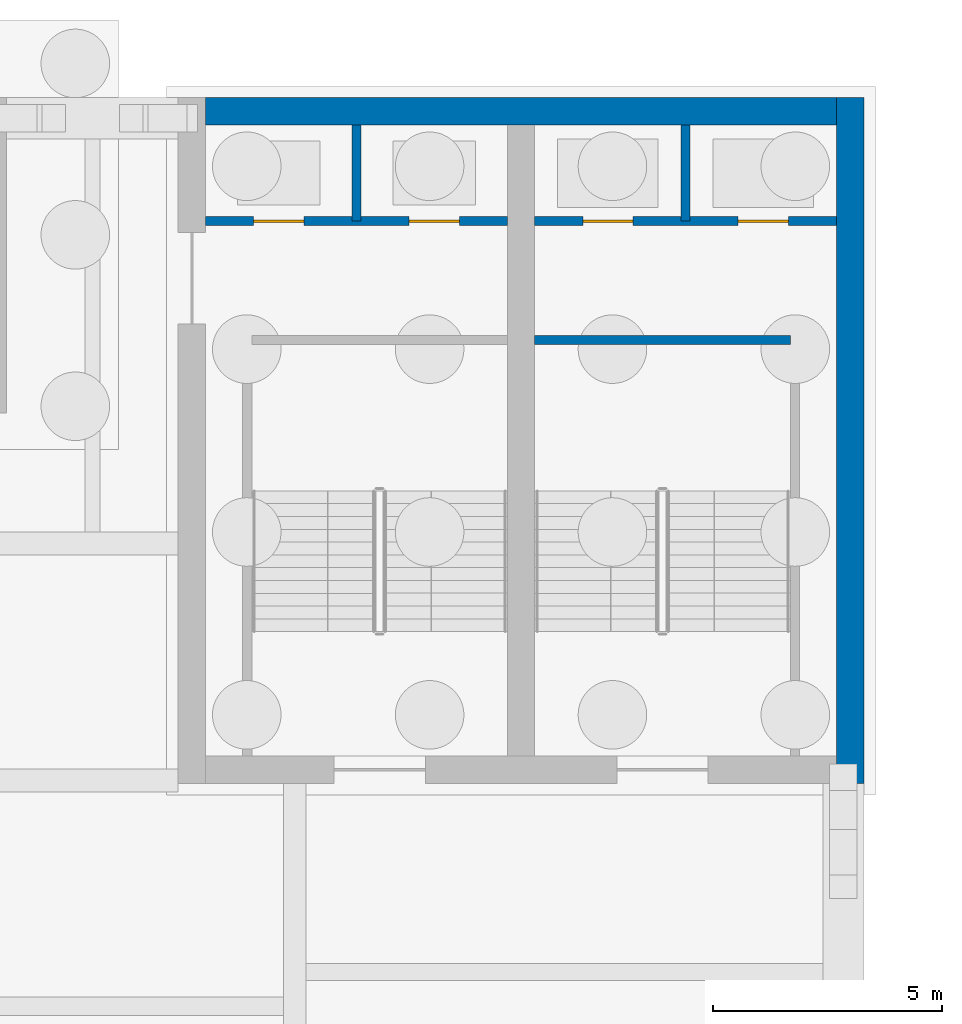
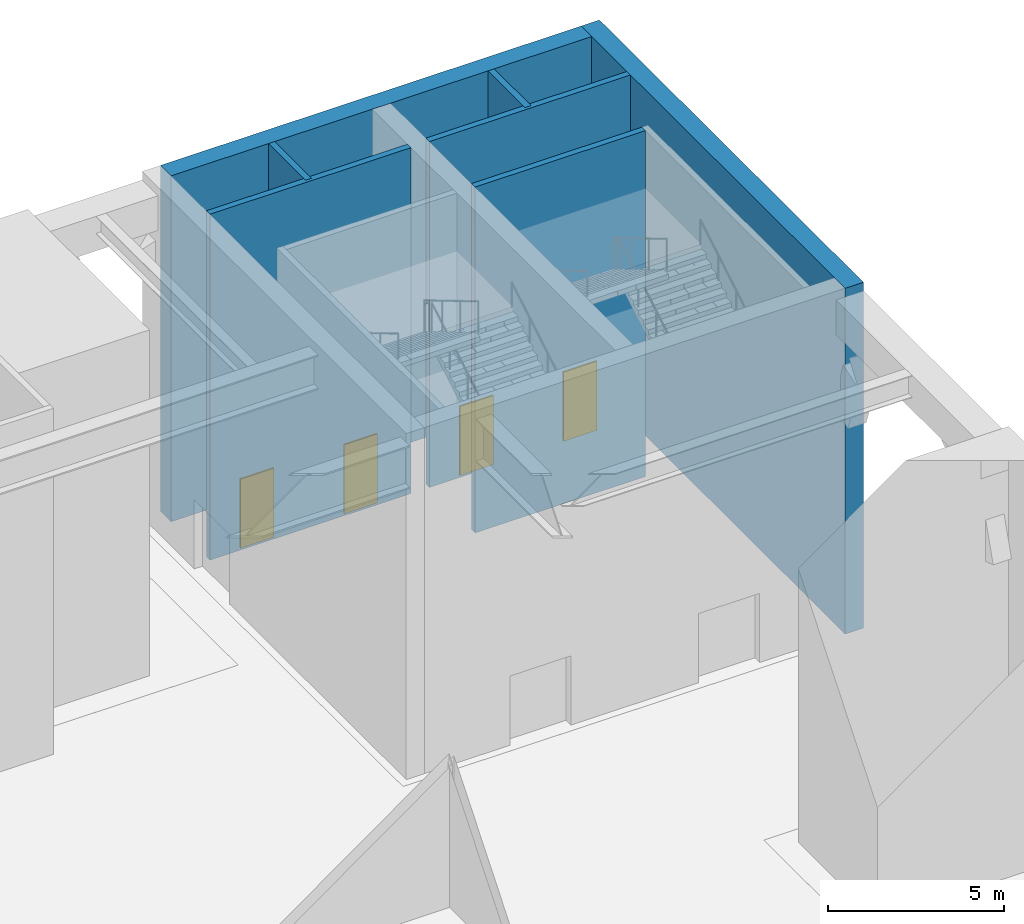
# One storey, part 11 of 34: 7 walls, 4 doors, 4 openings.
"""IFC4 building model written with IfcOpenShell, lengths in metres."""

import ifcopenshell
import ifcopenshell.guid

model = None  # the IFC model being written
_history = None  # IfcOwnerHistory: only IFC2X3 demands one
_inside = {}  # id of a spatial element -> (the spatial element, [elements in it])
_under = {}  # id of a project, library or spatial element -> (it, [spatial elements below it])
_declared = {}  # id of a project -> (the project, [libraries it declares])
_typed = {}  # id of a type object -> (the type object, [elements of that type])
_made_of = {}  # id of a material, layer set ... -> (it, [elements and type objects made of it])


def new_model(schema):
    """Start an empty IFC model of exactly this schema.

    Asked for "IFC4X3", IfcOpenShell would pick the latest addendum, in which some entities
    have other attributes; the version numbers below select the first issue.
    IFC2X3 requires an IfcOwnerHistory on every rooted entity: one is made here for all.
    """
    global model, _history
    if schema == "IFC4X3":
        model = ifcopenshell.file(schema_version=(4, 3, 0, 0))
    else:
        model = ifcopenshell.file(schema=schema)
    _inside.clear()
    _under.clear()
    _declared.clear()
    _typed.clear()
    _made_of.clear()
    _history = None
    if model.schema == "IFC2X3":
        org = make("IfcOrganization", Name="unknown")
        user = make(
            "IfcPersonAndOrganization",
            ThePerson=make("IfcPerson", FamilyName="unknown"),
            TheOrganization=org,
        )
        app = make(
            "IfcApplication",
            ApplicationDeveloper=org,
            Version="unknown",
            ApplicationFullName="unknown",
            ApplicationIdentifier="unknown",
        )
        _history = make(
            "IfcOwnerHistory",
            OwningUser=user,
            OwningApplication=app,
            ChangeAction="ADDED",
            CreationDate=0,
        )
    return model


def make(cls, **values):
    """One entity of the class cls with the attributes given. An attribute that is None is left unset."""
    return model.create_entity(
        cls, **{name: value for name, value in values.items() if value is not None}
    )


def rooted(cls, **values):
    """An entity with a GlobalId (a new one), such as an element, a storey or a relation."""
    return make(cls, GlobalId=ifcopenshell.guid.new(), OwnerHistory=_history, **values)


def si_unit(unit_type, name, prefix=None):
    """IfcSIUnit, for example si_unit("LENGTHUNIT", "METRE", prefix="MILLI")."""
    return make("IfcSIUnit", UnitType=unit_type, Prefix=prefix, Name=name)


def assignment(units):
    """IfcUnitAssignment: the units of a project."""
    return None if units is None else make("IfcUnitAssignment", Units=units)


def point(xyz):
    """IfcCartesianPoint."""
    return None if xyz is None else make("IfcCartesianPoint", Coordinates=xyz)


def direction(xyz):
    """IfcDirection."""
    return None if xyz is None else make("IfcDirection", DirectionRatios=xyz)


def frame(location, z_axis=None, x_axis=None):
    """IfcAxis2Placement3D, a coordinate frame: its origin and axes. An axis left out is left unset."""
    return make(
        "IfcAxis2Placement3D",
        Location=point(location),
        Axis=direction(z_axis),
        RefDirection=direction(x_axis),
    )


def frame_2d(location, x_axis=None):
    """IfcAxis2Placement2D, a coordinate frame in the plane: its origin and x axis."""
    return make(
        "IfcAxis2Placement2D", Location=point(location), RefDirection=direction(x_axis)
    )


def origin():
    """The frame at (0, 0, 0) with its axes left unset."""
    return frame((0.0, 0.0, 0.0))


def place(relative_to, where):
    """IfcLocalPlacement: puts the frame where relative to a parent placement (None: the world)."""
    return make(
        "IfcLocalPlacement", PlacementRelTo=relative_to, RelativePlacement=where
    )


def context(
    kind, dimensions, precision=None, world=None, true_north=None, identifier=None
):
    """IfcGeometricRepresentationContext, for example the 3D "Model" context."""
    return make(
        "IfcGeometricRepresentationContext",
        ContextIdentifier=identifier,
        ContextType=kind,
        CoordinateSpaceDimension=dimensions,
        Precision=precision,
        WorldCoordinateSystem=world,
        TrueNorth=true_north,
    )


def subcontext(parent, identifier, kind, view, scale=None):
    """IfcGeometricRepresentationSubContext, for example "Body" below "Model"."""
    return make(
        "IfcGeometricRepresentationSubContext",
        ContextIdentifier=identifier,
        ContextType=kind,
        ParentContext=parent,
        TargetScale=scale,
        TargetView=view,
    )


def project(units=None, contexts=None):
    """IfcProject with its units and contexts."""
    return rooted(
        "IfcProject",
        Name="project",
        RepresentationContexts=contexts,
        UnitsInContext=assignment(units),
    )


def spatial(cls, under=None, at=None, **own):
    """A site, building, storey or space (cls), placed at a placement, below another one or the project."""
    s = rooted(cls, ObjectPlacement=at, **own)
    if under is not None:
        _under.setdefault(under.id(), (under, []))[1].append(s)
    return s


def profile(cls, at=None, kind="AREA", **sizes):
    """A parametric profile (cls). Its sizes go by their IFC names, for example OverallWidth=200.0."""
    return make(cls, ProfileType=kind, Position=at, **sizes)


def rectangle(**sizes):
    """IfcRectangleProfileDef."""
    return profile("IfcRectangleProfileDef", **sizes)


def extrude(swept, where, along, depth):
    """IfcExtrudedAreaSolid: the profile swept, set in the frame where, extruded along a direction by depth."""
    return make(
        "IfcExtrudedAreaSolid",
        SweptArea=swept,
        Position=where,
        ExtrudedDirection=direction(along),
        Depth=depth,
    )


def shape(context_of_items, identifier, shape_type, items):
    """IfcShapeRepresentation: the items that make up one representation, for example the "Body"."""
    return make(
        "IfcShapeRepresentation",
        ContextOfItems=context_of_items,
        RepresentationIdentifier=identifier,
        RepresentationType=shape_type,
        Items=items,
    )


def material(Name=None, Category=None):
    """IfcMaterial."""
    return make("IfcMaterial", Name=Name, Category=Category)


def layer(
    of_material, thickness, ventilated=None, Name=None, Category=None, Priority=None
):
    """IfcMaterialLayer: one layer of a wall or slab, of a material (None: an air gap)."""
    return make(
        "IfcMaterialLayer",
        Material=of_material,
        LayerThickness=thickness,
        IsVentilated=ventilated,
        Name=Name,
        Category=Category,
        Priority=Priority,
    )


def layer_set(layers, Name=None):
    """IfcMaterialLayerSet."""
    return make("IfcMaterialLayerSet", MaterialLayers=layers, LayerSetName=Name)


def made_of(thing, what):
    """Note that an element or type object is made of a material, layer set ...; save() writes the relation."""
    if what is not None:
        _made_of.setdefault(what.id(), (what, []))[1].append(thing)
    return thing


def type_object(cls, material=None, **own):
    """A type object (cls), such as IfcWallType, which elements share."""
    return made_of(rooted(cls, **own), material)


def element(
    cls,
    number,
    at=None,
    inside=None,
    cuts=None,
    type_object=None,
    material=None,
    context=None,
    identifier="Body",
    shape_type=None,
    held_by="IfcProductDefinitionShape",
    body=None,
    shapes=None,
    **own,
):
    """One element of the class cls, such as IfcWall. Its Tag is "e" and its number.

    at: its placement. inside: the storey or other place that contains it. cuts: it is an
    opening in that element (IfcRelVoidsElement). A single representation is given by context,
    identifier, shape_type and body (its items); several are given by shapes. held_by: the class
    of the entity that holds the representations. save() writes the other relations.
    """
    e = rooted(cls, Tag="e%d" % number, ObjectPlacement=at, **own)
    if body is not None:
        shapes = [shape(context, identifier, shape_type, body)]
    if shapes is not None:
        e.Representation = make(held_by, Representations=shapes)
    if inside is not None:
        _inside.setdefault(inside.id(), (inside, []))[1].append(e)
    if cuts is not None:
        rooted(
            "IfcRelVoidsElement", RelatingBuildingElement=cuts, RelatedOpeningElement=e
        )
    if type_object is not None:
        _typed.setdefault(type_object.id(), (type_object, []))[1].append(e)
    return made_of(e, material)


def fill(opening, filler):
    """IfcRelFillsElement: the door or window that sits in an opening."""
    return rooted(
        "IfcRelFillsElement",
        RelatingOpeningElement=opening,
        RelatedBuildingElement=filler,
    )


def aggregate(whole, parts):
    """IfcRelAggregates: a whole, such as a stair, and the parts it consists of."""
    return rooted("IfcRelAggregates", RelatingObject=whole, RelatedObjects=parts)


def save(model, path):
    """Write the relations noted so far, then the file.

    IfcRelAggregates (storeys below a building ...), IfcRelContainedInSpatialStructure (elements
    in a storey), IfcRelDefinesByType, IfcRelAssociatesMaterial and IfcRelDeclares: one each for
    every whole, place, type object, material and project.
    """
    for whole, parts in _under.values():
        aggregate(whole, parts)
    for where, things in _inside.values():
        rooted(
            "IfcRelContainedInSpatialStructure",
            RelatedElements=things,
            RelatingStructure=where,
        )
    for kind, things in _typed.values():
        rooted("IfcRelDefinesByType", RelatedObjects=things, RelatingType=kind)
    for what, things in _made_of.values():
        rooted("IfcRelAssociatesMaterial", RelatedObjects=things, RelatingMaterial=what)
    for by, libraries in _declared.values():
        rooted("IfcRelDeclares", RelatingContext=by, RelatedDefinitions=libraries)
    model.write(path)


model = new_model("IFC4")

# Units and contexts
model_context = context("Model", 3, precision=1e-05, world=origin(), true_north=direction((0.0, 1.0)))
body_context = subcontext(model_context, "Body", "Model", "MODEL_VIEW")
ifc_project = project(units=[si_unit("LENGTHUNIT", "METRE"), si_unit("AREAUNIT", "SQUARE_METRE"), si_unit("VOLUMEUNIT", "CUBIC_METRE"), si_unit("PLANEANGLEUNIT", "RADIAN"), si_unit("MASSUNIT", "GRAM", prefix="KILO")], contexts=[model_context])

# Site, building, storey
site_placement = place(None, origin())
site = spatial("IfcSite", under=ifc_project, at=site_placement, CompositionType="ELEMENT")
building_placement = place(site_placement, origin())
building = spatial("IfcBuilding", under=site, at=building_placement, Name="Corbelhall Arena Tower", CompositionType="ELEMENT")
storey_placement = place(building_placement, origin())
storey = spatial("IfcBuildingStorey", under=building, at=storey_placement, Name="L00", CompositionType="ELEMENT", Elevation=0.0)

# Wall, openings, doors
ifc_material_1 = material(Name="Reinforced concrete C40/50", Category="concrete")
ifc_layer_1 = layer(ifc_material_1, 0.199951171875)
ifc_layer_set_1 = layer_set([ifc_layer_1], Name="AR-SHAFT-WALL")
wall_type_1 = type_object("IfcWallType", Name="AR-SHAFT-WALL", PredefinedType="SHEAR", material=ifc_layer_set_1)
wall_1_placement = place(storey_placement, frame((33.60009765625, 36.300048828125, 0.0), z_axis=(0.0, 0.0, 1.0), x_axis=(1.0, 0.0, 0.0)))
wall_1 = element("IfcWall", 1, at=wall_1_placement, inside=storey, type_object=wall_type_1, Name="Lift lobby wall NE", PredefinedType="SHEAR", context=body_context, shape_type="SweptSolid", body=[
    extrude(rectangle(XDim=6.599853515625, YDim=0.199951171875, at=frame_2d((3.2998046875, 0.0))), origin(), (0.0, 0.0, 1.0), 12.0),
])
opening_1_placement = place(wall_1_placement, frame((1.050048828125, 0.0, 0.0)))
opening_1 = element("IfcOpeningElement", 2, at=opening_1_placement, cuts=wall_1, Name="Opening LD0117", PredefinedType="OPENING", context=body_context, shape_type="SweptSolid", body=[
    extrude(rectangle(XDim=1.10009765625, YDim=2.39990234375, at=frame_2d((0.550048828125, 1.199951171875))), frame((0.0, 0.10009765625, 0.0), z_axis=(0.0, -1.0, 0.0), x_axis=(1.0, 0.0, 0.0)), (0.0, 0.0, 1.0), 0.199951171875),
])
opening_2_placement = place(wall_1_placement, frame((4.449951171875, 0.0, 0.0)))
opening_2 = element("IfcOpeningElement", 3, at=opening_2_placement, cuts=wall_1, Name="Opening LD0118", PredefinedType="OPENING", context=body_context, shape_type="SweptSolid", body=[
    extrude(rectangle(XDim=1.10009765625, YDim=2.39990234375, at=frame_2d((0.550048828125, 1.199951171875))), frame((0.0, 0.10009765625, 0.0), z_axis=(0.0, -1.0, 0.0), x_axis=(1.0, 0.0, 0.0)), (0.0, 0.0, 1.0), 0.199951171875),
])
ifc_material_2 = material(Name="Stainless steel A4", Category="steel")
door_type = type_object("IfcDoorType", Name="AR-LANDING-DOOR", OperationType="DOUBLE_DOOR_SLIDING", PredefinedType="DOOR", material=ifc_material_2)
door_1_placement = place(opening_1_placement, origin())
door_1 = element("IfcDoor", 4, at=door_1_placement, inside=storey, type_object=door_type, Name="Landing door NE LF1 L00", OperationType="DOUBLE_DOOR_SLIDING", OverallHeight=2.39990234375, OverallWidth=1.10009765625, PredefinedType="DOOR", context=body_context, shape_type="SweptSolid", body=[
    extrude(rectangle(XDim=1.10009765625, YDim=2.39990234375, at=frame_2d((0.550048828125, 1.199951171875))), frame((0.0, 0.02490234375, 0.0), z_axis=(0.0, -1.0, 0.0), x_axis=(1.0, 0.0, 0.0)), (0.0, 0.0, 1.0), 0.050048828125),
])
fill(opening_1, door_1)
door_2_placement = place(opening_2_placement, origin())
door_2 = element("IfcDoor", 5, at=door_2_placement, inside=storey, type_object=door_type, Name="Landing door NE LF2 L00", OperationType="DOUBLE_DOOR_SLIDING", OverallHeight=2.39990234375, OverallWidth=1.10009765625, PredefinedType="DOOR", context=body_context, shape_type="SweptSolid", body=[
    extrude(rectangle(XDim=1.10009765625, YDim=2.39990234375, at=frame_2d((0.550048828125, 1.199951171875))), frame((0.0, 0.02490234375, 0.0), z_axis=(0.0, -1.0, 0.0), x_axis=(1.0, 0.0, 0.0)), (0.0, 0.0, 1.0), 0.050048828125),
])
fill(opening_2, door_2)

wall_2_placement = place(storey_placement, frame((40.800048828125, 36.300048828125, 0.0), z_axis=(0.0, 0.0, 1.0), x_axis=(1.0, 0.0, 0.0)))
wall_2 = element("IfcWall", 6, at=wall_2_placement, inside=storey, type_object=wall_type_1, Name="Lift lobby wall NE", PredefinedType="SHEAR", context=body_context, shape_type="SweptSolid", body=[
    extrude(rectangle(XDim=6.599853515625, YDim=0.199951171875, at=frame_2d((3.2998046875, 0.0))), origin(), (0.0, 0.0, 1.0), 12.0),
])
opening_3_placement = place(wall_2_placement, frame((1.050048828125, 0.0, 0.0)))
opening_3 = element("IfcOpeningElement", 7, at=opening_3_placement, cuts=wall_2, Name="Opening LD0119", PredefinedType="OPENING", context=body_context, shape_type="SweptSolid", body=[
    extrude(rectangle(XDim=1.10009765625, YDim=2.39990234375, at=frame_2d((0.550048828125, 1.199951171875))), frame((0.0, 0.10009765625, 0.0), z_axis=(0.0, -1.0, 0.0), x_axis=(1.0, 0.0, 0.0)), (0.0, 0.0, 1.0), 0.199951171875),
])
opening_4_placement = place(wall_2_placement, frame((4.449951171875, 0.0, 0.0)))
opening_4 = element("IfcOpeningElement", 8, at=opening_4_placement, cuts=wall_2, Name="Opening LD0120", PredefinedType="OPENING", context=body_context, shape_type="SweptSolid", body=[
    extrude(rectangle(XDim=1.10009765625, YDim=2.39990234375, at=frame_2d((0.550048828125, 1.199951171875))), frame((0.0, 0.10009765625, 0.0), z_axis=(0.0, -1.0, 0.0), x_axis=(1.0, 0.0, 0.0)), (0.0, 0.0, 1.0), 0.199951171875),
])
door_3_placement = place(opening_3_placement, origin())
door_3 = element("IfcDoor", 9, at=door_3_placement, inside=storey, type_object=door_type, Name="Landing door NE LF3 L00", OperationType="DOUBLE_DOOR_SLIDING", OverallHeight=2.39990234375, OverallWidth=1.10009765625, PredefinedType="DOOR", context=body_context, shape_type="SweptSolid", body=[
    extrude(rectangle(XDim=1.10009765625, YDim=2.39990234375, at=frame_2d((0.550048828125, 1.199951171875))), frame((0.0, 0.02490234375, 0.0), z_axis=(0.0, -1.0, 0.0), x_axis=(1.0, 0.0, 0.0)), (0.0, 0.0, 1.0), 0.050048828125),
])
fill(opening_3, door_3)
door_4_placement = place(opening_4_placement, origin())
door_4 = element("IfcDoor", 10, at=door_4_placement, inside=storey, type_object=door_type, Name="Landing door NE LF4 L00", OperationType="DOUBLE_DOOR_SLIDING", OverallHeight=2.39990234375, OverallWidth=1.10009765625, PredefinedType="DOOR", context=body_context, shape_type="SweptSolid", body=[
    extrude(rectangle(XDim=1.10009765625, YDim=2.39990234375, at=frame_2d((0.550048828125, 1.199951171875))), frame((0.0, 0.02490234375, 0.0), z_axis=(0.0, -1.0, 0.0), x_axis=(1.0, 0.0, 0.0)), (0.0, 0.0, 1.0), 0.050048828125),
])
fill(opening_4, door_4)

# Walls
for number, where, z_axis, x_axis, name in (
    (11, (36.89990234375, 36.300048828125, 0.0), (0.0, 0.0, 1.0), (0.0, 1.0, 0.0), "Shaft wall NE"),
    (12, (44.10009765625, 36.300048828125, 0.0), (0.0, 0.0, 1.0), (0.0, 1.0, 0.0), "Shaft wall NE"),
):
    element("IfcWall", number, at=place(storey_placement, frame(where, z_axis=z_axis, x_axis=x_axis)), inside=storey, type_object=wall_type_1, Name=name, PredefinedType="SHEAR", context=body_context, shape_type="SweptSolid", body=[
        extrude(rectangle(XDim=2.099853515625, YDim=0.199951171875, at=frame_2d((1.0498046875, 0.0))), origin(), (0.0, 0.0, 1.0), 12.0),
    ])
ifc_layer_2 = layer(ifc_material_1, 0.199951171875)
ifc_layer_set_2 = layer_set([ifc_layer_2], Name="AR-STAIR-WALL")
wall_type_2 = type_object("IfcWallType", Name="AR-STAIR-WALL", PredefinedType="SOLIDWALL", material=ifc_layer_set_2)
wall_3_placement = place(storey_placement, frame((40.800048828125, 33.699951171875, 0.0), z_axis=(0.0, 0.0, 1.0), x_axis=(1.0, 0.0, 0.0)))
element("IfcWall", 13, at=wall_3_placement, inside=storey, type_object=wall_type_2, Name="Stair AS2 wall", PredefinedType="SOLIDWALL", context=body_context, shape_type="SweptSolid", body=[
    extrude(rectangle(XDim=5.58984375, YDim=0.199951171875, at=frame_2d((2.794921875, 0.0))), origin(), (0.0, 0.0, 1.0), 12.0),
])
ifc_material_3 = material(Name="Concrete C80/95", Category="concrete")
ifc_layer_3 = layer(ifc_material_3, 0.60009765625)
ifc_layer_set_3 = layer_set([ifc_layer_3], Name="PO-CORE-WALL")
wall_type_3 = type_object("IfcWallType", Name="PO-CORE-WALL", PredefinedType="SHEAR", material=ifc_layer_set_3)
wall_4_placement = place(storey_placement, frame((33.60009765625, 38.699951171875, 0.0), z_axis=(0.0, 0.0, 1.0), x_axis=(1.0, 0.0, 0.0)))
element("IfcWall", 14, at=wall_4_placement, inside=storey, type_object=wall_type_3, Name="CORE NE WALL N L00", PredefinedType="SHEAR", context=body_context, shape_type="SweptSolid", body=[
    extrude(rectangle(XDim=13.7998046875, YDim=0.60009765625, at=frame_2d((6.89990234375, 0.0))), origin(), (0.0, 0.0, 1.0), 12.0),
])
wall_5_placement = place(storey_placement, frame((47.699951171875, 24.0, 0.0), z_axis=(0.0, 0.0, 1.0), x_axis=(0.0, 1.0, 0.0)))
element("IfcWall", 15, at=wall_5_placement, inside=storey, type_object=wall_type_3, Name="CORE NE WALL E L00", PredefinedType="SHEAR", context=body_context, shape_type="SweptSolid", body=[
    extrude(rectangle(XDim=15.0, YDim=0.60009765625, at=frame_2d((7.5, 0.0))), origin(), (0.0, 0.0, 1.0), 12.0),
])

save(model, "model.ifc")
